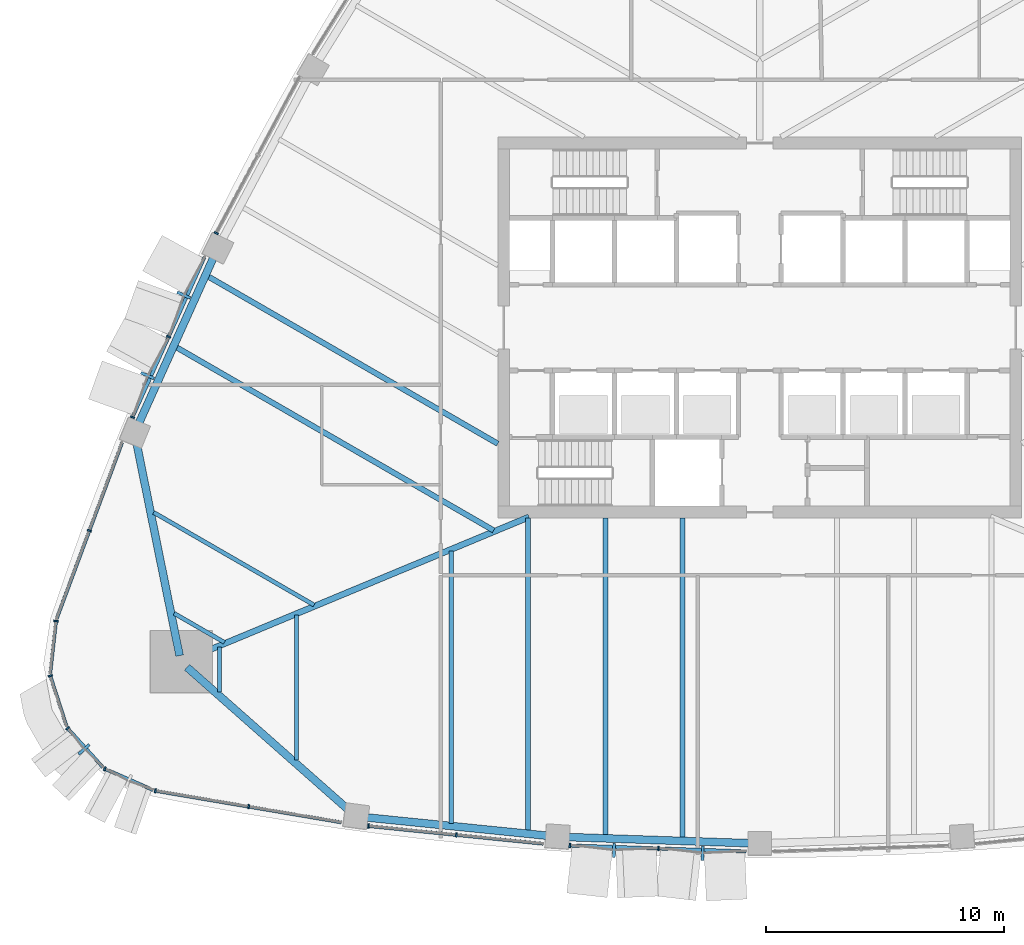
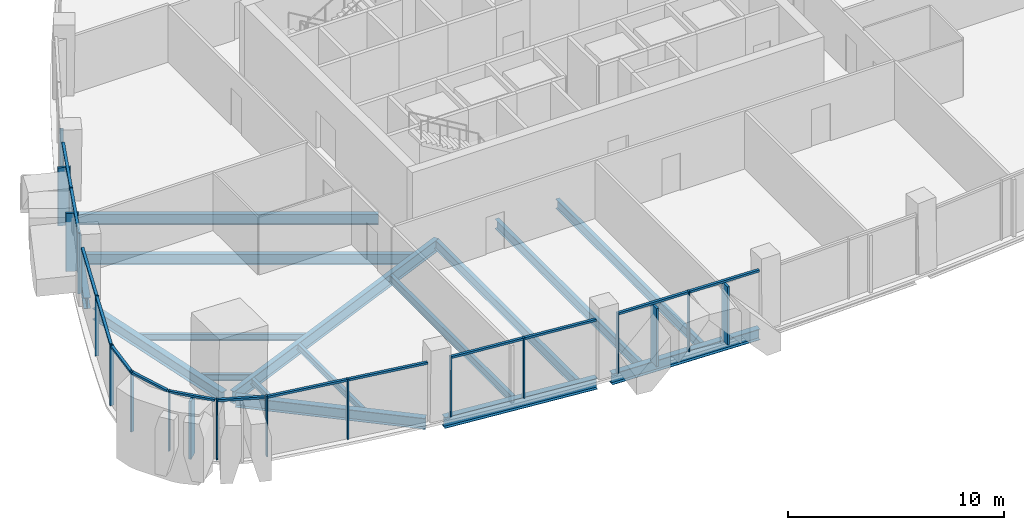
# One storey, part 2 of 17: 33 members, 16 beams, 10 elements without a shape of their own.
"""IFC4 building model written with IfcOpenShell, lengths in metres."""

from ifc_helpers import new_model, si_unit, direction, frame, origin, origin_2d, place, context, subcontext, project, spatial, rectangle, i_section, extrude, material, layer, layer_set, material_profile, profile_set, type_object, element, aggregate, save


model = new_model("IFC4")

# Units and contexts
model_context = context("Model", 3, precision=1e-05, world=origin(), true_north=direction((0.0, 1.0)))
body_context = subcontext(model_context, "Body", "Model", "MODEL_VIEW")
ifc_project = project(units=[si_unit("LENGTHUNIT", "METRE"), si_unit("AREAUNIT", "SQUARE_METRE"), si_unit("VOLUMEUNIT", "CUBIC_METRE"), si_unit("PLANEANGLEUNIT", "RADIAN"), si_unit("MASSUNIT", "GRAM", prefix="KILO")], contexts=[model_context])

# Site, building, storey
site_placement = place(None, origin())
site = spatial("IfcSite", under=ifc_project, at=site_placement, CompositionType="ELEMENT")
building_placement = place(site_placement, origin())
building = spatial("IfcBuilding", under=site, at=building_placement, Name="Sierra Prisma Convention Tower", CompositionType="ELEMENT")
storey_placement = place(building_placement, frame((0.0, 0.0, 153.800048828125)))
storey = spatial("IfcBuildingStorey", under=building, at=storey_placement, Name="L33", CompositionType="ELEMENT", Elevation=153.800048828125)

# Curtain wall, members
ifc_material_1 = material(Name="Aluminium and glass curtain wall", Category="aluminium")
ifc_layer_1 = layer(ifc_material_1, 0.179931640625)
ifc_layer_set_1 = layer_set([ifc_layer_1], Name="CW-2 Faceted crystal curtain wall")
curtain_wall_type_1 = type_object("IfcCurtainWallType", Name="CW-2 Faceted crystal curtain wall", PredefinedType="NOTDEFINED", material=ifc_layer_set_1)
curtain_wall_1_placement = place(storey_placement, origin())
curtain_wall_1 = element("IfcCurtainWall", 1, at=curtain_wall_1_placement, inside=storey, type_object=curtain_wall_type_1, Name="CW-2 S3 L33", PredefinedType="NOTDEFINED")
ifc_material_2 = material(Name="Aluminium 6063-T6 bronze anodised", Category="aluminium")
ifc_material_profile_1 = material_profile(ifc_material_2, rectangle(XDim=0.1201171875, YDim=0.60009765625, at=origin_2d()), Name="ALU RIDGE BLADE 120x600")
ifc_profile_set_1 = profile_set([ifc_material_profile_1], Name="Aluminium 6063-T6 bronze anodised")
member_type_1 = type_object("IfcMemberType", Name="CW hip bronze", PredefinedType="MULLION", material=ifc_profile_set_1)
member_1_placement = place(storey_placement, frame((-6.1201171875, -21.95361328125, 0.0), z_axis=(0.0, 0.0, 1.0), x_axis=(0.999435043349, -0.03360943507, 0.0)))
member_1 = element("IfcMember", 2, at=member_1_placement, type_object=member_type_1, Name="CW-2 ridge S3.1", PredefinedType="MULLION", context=body_context, shape_type="SweptSolid", body=[
    extrude(rectangle(XDim=0.1201171875, YDim=0.60009765625, at=origin_2d()), origin(), (0.0, 0.0, 1.0), 3.280029296875),
])
member_2_placement = place(storey_placement, frame((-2.399658203125, -22.078857421875, 0.0), z_axis=(0.0, 0.0, 1.0), x_axis=(0.999435043349, -0.03360943507, 0.0)))
member_2 = element("IfcMember", 3, at=member_2_placement, type_object=member_type_1, Name="CW-2 ridge S3.2", PredefinedType="MULLION", context=body_context, shape_type="SweptSolid", body=[
    extrude(rectangle(XDim=0.1201171875, YDim=0.60009765625, at=origin_2d()), origin(), (0.0, 0.0, 1.0), 3.280029296875),
])

curtain_wall_2_placement = place(storey_placement, origin())
curtain_wall_2 = element("IfcCurtainWall", 4, at=curtain_wall_2_placement, inside=storey, type_object=curtain_wall_type_1, Name="CW-2 NW5 L33", PredefinedType="NOTDEFINED")
member_3_placement = place(storey_placement, frame((-24.189697265625, 1.3642578125, 0.0), z_axis=(0.0, 0.0, 1.0), x_axis=(-0.410271250738, -0.911963541386, 0.0)))
member_3 = element("IfcMember", 5, at=member_3_placement, type_object=member_type_1, Name="CW-2 ridge NW5.1", PredefinedType="MULLION", context=body_context, shape_type="SweptSolid", body=[
    extrude(rectangle(XDim=0.1201171875, YDim=0.60009765625, at=origin_2d()), origin(), (0.0, 0.0, 1.0), 3.280029296875),
])
member_4_placement = place(storey_placement, frame((-25.71044921875, -2.015869140625, 0.0), z_axis=(0.0, 0.0, 1.0), x_axis=(-0.410271250738, -0.911963541386, 0.0)))
member_4 = element("IfcMember", 6, at=member_4_placement, type_object=member_type_1, Name="CW-2 ridge NW5.2", PredefinedType="MULLION", context=body_context, shape_type="SweptSolid", body=[
    extrude(rectangle(XDim=0.1201171875, YDim=0.60009765625, at=origin_2d()), origin(), (0.0, 0.0, 1.0), 3.280029296875),
])

# Curtain wall, member
curtain_wall_3_placement = place(storey_placement, origin())
curtain_wall_3 = element("IfcCurtainWall", 7, at=curtain_wall_3_placement, inside=storey, type_object=curtain_wall_type_1, Name="CW-2 SW3 L33", PredefinedType="NOTDEFINED")
member_5_placement = place(storey_placement, frame((-28.376953125, -17.7119140625, 0.0), z_axis=(0.0, 0.0, 1.0), x_axis=(0.670568249654, -0.741847843264, 0.0)))
member_5 = element("IfcMember", 8, at=member_5_placement, type_object=member_type_1, Name="CW-2 ridge SW3.1", PredefinedType="MULLION", context=body_context, shape_type="SweptSolid", body=[
    extrude(rectangle(XDim=0.1201171875, YDim=0.60009765625, at=origin_2d()), origin(), (0.0, 0.0, 1.0), 3.280029296875),
])

# Curtain wall, members
ifc_material_3 = material(Name="Aluminium and glass curtain wall", Category="aluminium")
ifc_layer_2 = layer(ifc_material_3, 0.179931640625)
ifc_layer_set_2 = layer_set([ifc_layer_2], Name="CW-1 Plain shaft curtain wall")
curtain_wall_type_2 = type_object("IfcCurtainWallType", Name="CW-1 Plain shaft curtain wall", PredefinedType="NOTDEFINED", material=ifc_layer_set_2)
curtain_wall_4_placement = place(storey_placement, origin())
curtain_wall_4 = element("IfcCurtainWall", 9, at=curtain_wall_4_placement, inside=storey, type_object=curtain_wall_type_2, Name="CW-1 S1 L33", PredefinedType="NOTDEFINED")
ifc_material_4 = material(Name="Aluminium 6063-T6 bronze anodised", Category="aluminium")
ifc_material_profile_2 = material_profile(ifc_material_4, rectangle(XDim=0.179931640625, YDim=0.070068359375, at=origin_2d()), Name="ALU MULLION 70x180")
ifc_profile_set_2 = profile_set([ifc_material_profile_2], Name="Aluminium 6063-T6 bronze anodised")
member_type_2 = type_object("IfcMemberType", Name="CW mullion bronze", PredefinedType="MULLION", material=ifc_profile_set_2)
member_6_placement = place(storey_placement, frame((-25.380126953125, -19.449951171875, 0.0), z_axis=(0.0, 0.0, 1.0), x_axis=(0.16728856107, 0.985907976099, 0.0)))
member_6 = element("IfcMember", 10, at=member_6_placement, type_object=member_type_2, Name="CW-1 mullion S1.1", PredefinedType="MULLION", context=body_context, shape_type="SweptSolid", body=[
    extrude(rectangle(XDim=0.179931640625, YDim=0.070068359375, at=origin_2d()), origin(), (0.0, 0.0, 1.0), 3.39990234375),
])
member_7_placement = place(storey_placement, frame((-21.457275390625, -20.115478515625, 0.0), z_axis=(0.0, 0.0, 1.0), x_axis=(0.16728856107, 0.985907976099, 0.0)))
member_7 = element("IfcMember", 11, at=member_7_placement, type_object=member_type_2, Name="CW-1 mullion S1.2", PredefinedType="MULLION", context=body_context, shape_type="SweptSolid", body=[
    extrude(rectangle(XDim=0.179931640625, YDim=0.070068359375, at=origin_2d()), origin(), (0.0, 0.0, 1.0), 3.39990234375),
])

curtain_wall_5_placement = place(storey_placement, origin())
curtain_wall_5 = element("IfcCurtainWall", 12, at=curtain_wall_5_placement, inside=storey, type_object=curtain_wall_type_2, Name="CW-1 S2 L33", PredefinedType="NOTDEFINED")
member_8_placement = place(storey_placement, frame((-16.430419921875, -20.928955078125, 0.0), z_axis=(0.0, 0.0, 1.0), x_axis=(0.100676445112, 0.994919219535, 0.0)))
member_8 = element("IfcMember", 13, at=member_8_placement, type_object=member_type_2, Name="CW-1 mullion S2.1", PredefinedType="MULLION", context=body_context, shape_type="SweptSolid", body=[
    extrude(rectangle(XDim=0.179931640625, YDim=0.070068359375, at=origin_2d()), origin(), (0.0, 0.0, 1.0), 3.39990234375),
])
member_9_placement = place(storey_placement, frame((-12.74267578125, -21.302001953125, 0.0), z_axis=(0.0, 0.0, 1.0), x_axis=(0.100676445112, 0.994919219535, 0.0)))
member_9 = element("IfcMember", 14, at=member_9_placement, type_object=member_type_2, Name="CW-1 mullion S2.2", PredefinedType="MULLION", context=body_context, shape_type="SweptSolid", body=[
    extrude(rectangle(XDim=0.179931640625, YDim=0.070068359375, at=origin_2d()), origin(), (0.0, 0.0, 1.0), 3.39990234375),
])

# Member
member_10_placement = place(storey_placement, frame((-7.9755859375, -21.74755859375, 0.0), z_axis=(0.0, 0.0, 1.0), x_axis=(0.03360943507, 0.999435043349, 0.0)))
member_10 = element("IfcMember", 15, at=member_10_placement, type_object=member_type_2, Name="CW-1 mullion S3.1", PredefinedType="MULLION", context=body_context, shape_type="SweptSolid", body=[
    extrude(rectangle(XDim=0.179931640625, YDim=0.070068359375, at=origin_2d()), origin(), (0.0, 0.0, 1.0), 3.39990234375),
])

member_11_placement = place(storey_placement, frame((-4.255126953125, -21.87255859375, 0.0), z_axis=(0.0, 0.0, 1.0), x_axis=(0.03360943507, 0.999435043349, 0.0)))
member_11 = element("IfcMember", 16, at=member_11_placement, type_object=member_type_2, Name="CW-1 mullion S3.2", PredefinedType="MULLION", context=body_context, shape_type="SweptSolid", body=[
    extrude(rectangle(XDim=0.179931640625, YDim=0.070068359375, at=origin_2d()), origin(), (0.0, 0.0, 1.0), 3.39990234375),
])

# Curtain wall, member
curtain_wall_6_placement = place(storey_placement, origin())
curtain_wall_6 = element("IfcCurtainWall", 17, at=curtain_wall_6_placement, inside=storey, type_object=curtain_wall_type_2, Name="CW-1 NW4 L33", PredefinedType="NOTDEFINED")
member_12_placement = place(storey_placement, frame((-22.82177734375, 3.966796875, 0.0), z_axis=(0.0, 0.0, 1.0), x_axis=(0.882340854508, -0.470610897097, 0.0)))
member_12 = element("IfcMember", 18, at=member_12_placement, type_object=member_type_2, Name="CW-1 mullion NW4.3", PredefinedType="MULLION", context=body_context, shape_type="SweptSolid", body=[
    extrude(rectangle(XDim=0.179931640625, YDim=0.070068359375, at=origin_2d()), origin(), (0.0, 0.0, 1.0), 3.39990234375),
])
aggregate(curtain_wall_6, [member_12])

# Member
member_13_placement = place(storey_placement, frame((-24.819580078125, -0.384521484375, 0.0), z_axis=(0.0, 0.0, 1.0), x_axis=(0.911963541386, -0.410271250738, 0.0)))
member_13 = element("IfcMember", 19, at=member_13_placement, type_object=member_type_2, Name="CW-1 mullion NW5.2", PredefinedType="MULLION", context=body_context, shape_type="SweptSolid", body=[
    extrude(rectangle(XDim=0.179931640625, YDim=0.070068359375, at=origin_2d()), origin(), (0.0, 0.0, 1.0), 3.39990234375),
])

member_14_placement = place(storey_placement, frame((-26.340087890625, -3.7646484375, 0.0), z_axis=(0.0, 0.0, 1.0), x_axis=(0.911963541386, -0.410271250738, 0.0)))
member_14 = element("IfcMember", 20, at=member_14_placement, type_object=member_type_2, Name="CW-1 mullion NW5.3", PredefinedType="MULLION", context=body_context, shape_type="SweptSolid", body=[
    extrude(rectangle(XDim=0.179931640625, YDim=0.070068359375, at=origin_2d()), origin(), (0.0, 0.0, 1.0), 3.39990234375),
])

# Curtain wall, member
curtain_wall_7_placement = place(storey_placement, origin())
curtain_wall_7 = element("IfcCurtainWall", 21, at=curtain_wall_7_placement, inside=storey, type_object=curtain_wall_type_2, Name="CW-1 NW6 L33", PredefinedType="NOTDEFINED")
member_15_placement = place(storey_placement, frame((-28.149169921875, -8.52490234375, 0.0), z_axis=(0.0, 0.0, 1.0), x_axis=(0.93746563363, -0.3480778444, 0.0)))
member_15 = element("IfcMember", 22, at=member_15_placement, type_object=member_type_2, Name="CW-1 mullion NW6.2", PredefinedType="MULLION", context=body_context, shape_type="SweptSolid", body=[
    extrude(rectangle(XDim=0.179931640625, YDim=0.070068359375, at=origin_2d()), origin(), (0.0, 0.0, 1.0), 3.39990234375),
])

curtain_wall_8_placement = place(storey_placement, origin())
curtain_wall_8 = element("IfcCurtainWall", 23, at=curtain_wall_8_placement, inside=storey, type_object=curtain_wall_type_2, Name="CW-1 SW1 L33", PredefinedType="NOTDEFINED")
member_16_placement = place(storey_placement, frame((-29.550048828125, -12.322509765625, 0.0), z_axis=(0.0, 0.0, 1.0), x_axis=(0.993897947739, -0.110303533395, 0.0)))
member_16 = element("IfcMember", 24, at=member_16_placement, type_object=member_type_2, Name="CW-1 mullion SW1.1", PredefinedType="MULLION", context=body_context, shape_type="SweptSolid", body=[
    extrude(rectangle(XDim=0.179931640625, YDim=0.070068359375, at=origin_2d()), origin(), (0.0, 0.0, 1.0), 3.39990234375),
])

curtain_wall_9_placement = place(storey_placement, origin())
curtain_wall_9 = element("IfcCurtainWall", 25, at=curtain_wall_9_placement, inside=storey, type_object=curtain_wall_type_2, Name="CW-1 SW2 L33", PredefinedType="NOTDEFINED")
member_17_placement = place(storey_placement, frame((-29.791015625, -14.623779296875, 0.0), z_axis=(0.0, 0.0, 1.0), x_axis=(0.951653060804, 0.307174953183, 0.0)))
member_17 = element("IfcMember", 26, at=member_17_placement, type_object=member_type_2, Name="CW-1 mullion SW2.1", PredefinedType="MULLION", context=body_context, shape_type="SweptSolid", body=[
    extrude(rectangle(XDim=0.179931640625, YDim=0.070068359375, at=origin_2d()), origin(), (0.0, 0.0, 1.0), 3.39990234375),
])

# Member
member_18_placement = place(storey_placement, frame((-29.066650390625, -16.8212890625, 0.0), z_axis=(0.0, 0.0, 1.0), x_axis=(0.741847843264, 0.670568249654, 0.0)))
member_18 = element("IfcMember", 27, at=member_18_placement, type_object=member_type_2, Name="CW-1 mullion SW3.1", PredefinedType="MULLION", context=body_context, shape_type="SweptSolid", body=[
    extrude(rectangle(XDim=0.179931640625, YDim=0.070068359375, at=origin_2d()), origin(), (0.0, 0.0, 1.0), 3.39990234375),
])

# Curtain wall, member
curtain_wall_10_placement = place(storey_placement, origin())
curtain_wall_10 = element("IfcCurtainWall", 28, at=curtain_wall_10_placement, inside=storey, type_object=curtain_wall_type_1, Name="CW-2 SW4 L33", PredefinedType="NOTDEFINED")
member_19_placement = place(storey_placement, frame((-27.50439453125, -18.528076171875, 0.0), z_axis=(0.0, 0.0, 1.0), x_axis=(0.401423311823, 0.915892638209, 0.0)))
member_19 = element("IfcMember", 29, at=member_19_placement, type_object=member_type_2, Name="CW-1 mullion SW4.1", PredefinedType="MULLION", context=body_context, shape_type="SweptSolid", body=[
    extrude(rectangle(XDim=0.179931640625, YDim=0.070068359375, at=origin_2d()), origin(), (0.0, 0.0, 1.0), 3.39990234375),
])

# Member
ifc_material_5 = material(Name="Aluminium 6063-T6 bronze anodised", Category="aluminium")
ifc_material_profile_3 = material_profile(ifc_material_5, rectangle(XDim=0.139892578125, YDim=0.1201171875, at=origin_2d()), Name="ALU TRANSOM 120x140")
ifc_profile_set_3 = profile_set([ifc_material_profile_3], Name="Aluminium 6063-T6 bronze anodised")
member_type_3 = type_object("IfcMemberType", Name="CW transom bronze", PredefinedType="USERDEFINED", material=ifc_profile_set_3)
member_20_placement = place(storey_placement, frame((-25.345458984375, -19.455810546875, 3.33984375), z_axis=(0.985910286216, -0.167274945925, 0.0), x_axis=(0.167274945925, 0.985910286216, 0.0)))
member_20 = element("IfcMember", 30, at=member_20_placement, type_object=member_type_3, Name="CW-1 transom S1.1", ObjectType="TRANSOM", PredefinedType="USERDEFINED", context=body_context, shape_type="SweptSolid", body=[
    extrude(rectangle(XDim=0.139892578125, YDim=0.1201171875, at=origin_2d()), origin(), (0.0, 0.0, 1.0), 3.90869140625),
])

member_21_placement = place(storey_placement, frame((-21.4228515625, -20.121337890625, 3.33984375), z_axis=(0.985912033815, -0.167264645332, 0.0), x_axis=(0.167264645332, 0.985912033815, 0.0)))
member_21 = element("IfcMember", 31, at=member_21_placement, type_object=member_type_3, Name="CW-1 transom S1.2", ObjectType="TRANSOM", PredefinedType="USERDEFINED", context=body_context, shape_type="SweptSolid", body=[
    extrude(rectangle(XDim=0.139892578125, YDim=0.1201171875, at=origin_2d()), origin(), (0.0, 0.0, 1.0), 3.908935546875),
])

aggregate(curtain_wall_4, [member_6, member_7, member_20, member_21])

member_22_placement = place(storey_placement, frame((-16.3955078125, -20.932373046875, 3.33984375), z_axis=(0.994916146411, -0.10070681015, 0.0), x_axis=(0.10070681015, 0.994916146411, 0.0)))
member_22 = element("IfcMember", 32, at=member_22_placement, type_object=member_type_3, Name="CW-1 transom S2.1", ObjectType="TRANSOM", PredefinedType="USERDEFINED", context=body_context, shape_type="SweptSolid", body=[
    extrude(rectangle(XDim=0.139892578125, YDim=0.1201171875, at=origin_2d()), origin(), (0.0, 0.0, 1.0), 3.636474609375),
])

member_23_placement = place(storey_placement, frame((-12.707763671875, -21.3056640625, 3.33984375), z_axis=(0.994922871105, -0.100640352506, 0.0), x_axis=(0.100640352506, 0.994922871105, 0.0)))
member_23 = element("IfcMember", 33, at=member_23_placement, type_object=member_type_3, Name="CW-1 transom S2.2", ObjectType="TRANSOM", PredefinedType="USERDEFINED", context=body_context, shape_type="SweptSolid", body=[
    extrude(rectangle(XDim=0.139892578125, YDim=0.1201171875, at=origin_2d()), origin(), (0.0, 0.0, 1.0), 3.636474609375),
])

aggregate(curtain_wall_5, [member_8, member_9, member_22, member_23])

member_24_placement = place(storey_placement, frame((-7.9404296875, -21.748779296875, 3.33984375), z_axis=(0.999436865815, -0.033555197073, 0.0), x_axis=(0.033555197073, 0.999436865815, 0.0)))
member_24 = element("IfcMember", 34, at=member_24_placement, type_object=member_type_3, Name="CW-1 transom S3.1", ObjectType="TRANSOM", PredefinedType="USERDEFINED", context=body_context, shape_type="SweptSolid", body=[
    extrude(rectangle(XDim=0.139892578125, YDim=0.1201171875, at=origin_2d()), origin(), (0.0, 0.0, 1.0), 3.65234375),
])

member_25_placement = place(storey_placement, frame((-4.22021484375, -21.873779296875, 3.33984375), z_axis=(0.999434697476, -0.03361971864, 0.0), x_axis=(0.03361971864, 0.999434697476, 0.0)))
member_25 = element("IfcMember", 35, at=member_25_placement, type_object=member_type_3, Name="CW-1 transom S3.2", ObjectType="TRANSOM", PredefinedType="USERDEFINED", context=body_context, shape_type="SweptSolid", body=[
    extrude(rectangle(XDim=0.139892578125, YDim=0.1201171875, at=origin_2d()), origin(), (0.0, 0.0, 1.0), 3.652587890625),
])

aggregate(curtain_wall_1, [member_10, member_11, member_24, member_1, member_25, member_2])

member_26_placement = place(storey_placement, frame((-23.313232421875, 2.9638671875, 3.33984375), z_axis=(-0.41026418116, -0.911966721793, 0.0), x_axis=(0.911966721793, -0.41026418116, 0.0)))
member_26 = element("IfcMember", 36, at=member_26_placement, type_object=member_type_3, Name="CW-1 transom NW5.1", ObjectType="TRANSOM", PredefinedType="USERDEFINED", context=body_context, shape_type="SweptSolid", body=[
    extrude(rectangle(XDim=0.139892578125, YDim=0.1201171875, at=origin_2d()), origin(), (0.0, 0.0, 1.0), 3.636474609375),
])

member_27_placement = place(storey_placement, frame((-24.833984375, -0.416259765625, 3.33984375), z_axis=(-0.410208343496, -0.911991839287, 0.0), x_axis=(0.911991839287, -0.410208343496, 0.0)))
member_27 = element("IfcMember", 37, at=member_27_placement, type_object=member_type_3, Name="CW-1 transom NW5.2", ObjectType="TRANSOM", PredefinedType="USERDEFINED", context=body_context, shape_type="SweptSolid", body=[
    extrude(rectangle(XDim=0.139892578125, YDim=0.1201171875, at=origin_2d()), origin(), (0.0, 0.0, 1.0), 3.636474609375),
])

aggregate(curtain_wall_2, [member_13, member_14, member_26, member_3, member_27, member_4])

member_28_placement = place(storey_placement, frame((-26.7763671875, -4.82763671875, 3.33984375), z_axis=(-0.348089298111, -0.937461380826, 0.0), x_axis=(0.937461380826, -0.348089298111, 0.0)))
member_28 = element("IfcMember", 38, at=member_28_placement, type_object=member_type_3, Name="CW-1 transom NW6.1", ObjectType="TRANSOM", PredefinedType="USERDEFINED", context=body_context, shape_type="SweptSolid", body=[
    extrude(rectangle(XDim=0.139892578125, YDim=0.1201171875, at=origin_2d()), origin(), (0.0, 0.0, 1.0), 3.90869140625),
])

member_29_placement = place(storey_placement, frame((-28.161376953125, -8.5576171875, 3.33984375), z_axis=(-0.348089298111, -0.937461380826, 0.0), x_axis=(0.937461380826, -0.348089298111, 0.0)))
member_29 = element("IfcMember", 39, at=member_29_placement, type_object=member_type_3, Name="CW-1 transom NW6.2", ObjectType="TRANSOM", PredefinedType="USERDEFINED", context=body_context, shape_type="SweptSolid", body=[
    extrude(rectangle(XDim=0.139892578125, YDim=0.1201171875, at=origin_2d()), origin(), (0.0, 0.0, 1.0), 3.90869140625),
])

aggregate(curtain_wall_7, [member_15, member_28, member_29])

member_30_placement = place(storey_placement, frame((-29.553955078125, -12.357177734375, 3.33984375), z_axis=(-0.110357669507, -0.993891938181, 0.0), x_axis=(0.993891938181, -0.110357669507, 0.0)))
member_30 = element("IfcMember", 40, at=member_30_placement, type_object=member_type_3, Name="CW-1 transom SW1.1", ObjectType="TRANSOM", PredefinedType="USERDEFINED", context=body_context, shape_type="SweptSolid", body=[
    extrude(rectangle(XDim=0.139892578125, YDim=0.1201171875, at=origin_2d()), origin(), (0.0, 0.0, 1.0), 2.1767578125),
])

aggregate(curtain_wall_8, [member_16, member_30])

member_31_placement = place(storey_placement, frame((-29.7802734375, -14.656982421875, 3.33984375), z_axis=(0.307196113718, -0.951646230338, 0.0), x_axis=(0.951646230338, 0.307196113718, 0.0)))
member_31 = element("IfcMember", 41, at=member_31_placement, type_object=member_type_3, Name="CW-1 transom SW2.1", ObjectType="TRANSOM", PredefinedType="USERDEFINED", context=body_context, shape_type="SweptSolid", body=[
    extrude(rectangle(XDim=0.139892578125, YDim=0.1201171875, at=origin_2d()), origin(), (0.0, 0.0, 1.0), 2.1767578125),
])

aggregate(curtain_wall_9, [member_17, member_31])

member_32_placement = place(storey_placement, frame((-29.043212890625, -16.84716796875, 3.33984375), z_axis=(0.670599022569, -0.74182002597, 0.0), x_axis=(0.74182002597, 0.670599022569, 0.0)))
member_32 = element("IfcMember", 42, at=member_32_placement, type_object=member_type_3, Name="CW-1 transom SW3.1", ObjectType="TRANSOM", PredefinedType="USERDEFINED", context=body_context, shape_type="SweptSolid", body=[
    extrude(rectangle(XDim=0.139892578125, YDim=0.1201171875, at=origin_2d()), origin(), (0.0, 0.0, 1.0), 2.1767578125),
])

aggregate(curtain_wall_3, [member_18, member_32, member_5])

member_33_placement = place(storey_placement, frame((-27.472412109375, -18.5419921875, 3.33984375), z_axis=(0.915853335507, -0.40151297344, 0.0), x_axis=(0.40151297344, 0.915853335507, 0.0)))
member_33 = element("IfcMember", 43, at=member_33_placement, type_object=member_type_3, Name="CW-1 transom SW4.1", ObjectType="TRANSOM", PredefinedType="USERDEFINED", context=body_context, shape_type="SweptSolid", body=[
    extrude(rectangle(XDim=0.139892578125, YDim=0.1201171875, at=origin_2d()), origin(), (0.0, 0.0, 1.0), 2.1767578125),
])

aggregate(curtain_wall_10, [member_19, member_33])

# Beams
ifc_material_6 = material(Name="Steel ASTM A992 Gr 50", Category="steel")
ifc_material_profile_4 = material_profile(ifc_material_6, i_section(OverallWidth=0.172119140625, OverallDepth=0.35791015625, WebThickness=0.0078125, FlangeThickness=0.01318359375, at=origin_2d()), Name="W360x57")
ifc_profile_set_4 = profile_set([ifc_material_profile_4], Name="Steel ASTM A992 Gr 50")
beam_type_1 = type_object("IfcBeamType", Name="Floor joist W360x57", PredefinedType="JOIST", material=ifc_profile_set_4)
beam_1_placement = place(storey_placement, frame((-22.68798828125, -15.298828125, -0.3291015625), z_axis=(0.0, 1.0, 0.0), x_axis=(-1.0, 0.0, 0.0)))
element("IfcBeam", 44, at=beam_1_placement, inside=storey, type_object=beam_type_1, Name="Floor joist L33 S01", PredefinedType="JOIST", context=body_context, shape_type="SweptSolid", body=[
    extrude(i_section(OverallWidth=0.172119140625, OverallDepth=0.35791015625, WebThickness=0.0078125, FlangeThickness=0.01318359375, at=origin_2d()), origin(), (0.0, 0.0, 1.0), 1.88330078125),
])
beam_2_placement = place(storey_placement, frame((-19.44677734375, -18.1611328125, -0.3291015625), z_axis=(0.0, 1.0, 0.0), x_axis=(-1.0, 0.0, 0.0)))
element("IfcBeam", 45, at=beam_2_placement, inside=storey, type_object=beam_type_1, Name="Floor joist L33 S02", PredefinedType="JOIST", context=body_context, shape_type="SweptSolid", body=[
    extrude(i_section(OverallWidth=0.172119140625, OverallDepth=0.35791015625, WebThickness=0.0078125, FlangeThickness=0.01318359375, at=origin_2d()), origin(), (0.0, 0.0, 1.0), 6.09375),
])
beam_3_placement = place(storey_placement, frame((-25.451416015625, -7.7607421875, -0.3291015625), z_axis=(0.866014220968, -0.500019368707, 0.0), x_axis=(0.500019368707, 0.866014220968, 0.0)))
element("IfcBeam", 46, at=beam_3_placement, inside=storey, type_object=beam_type_1, Name="Floor joist L33 NW14", PredefinedType="JOIST", context=body_context, shape_type="SweptSolid", body=[
    extrude(i_section(OverallWidth=0.172119140625, OverallDepth=0.35791015625, WebThickness=0.0078125, FlangeThickness=0.01318359375, at=origin_2d()), origin(), (0.0, 0.0, 1.0), 7.781982421875),
])
beam_4_placement = place(storey_placement, frame((-24.593017578125, -11.998779296875, -0.3291015625), z_axis=(0.865980627057, -0.500077547548, 0.0), x_axis=(0.500077547548, 0.865980627057, 0.0)))
element("IfcBeam", 47, at=beam_4_placement, inside=storey, type_object=beam_type_1, Name="Floor joist L33 NW15", PredefinedType="JOIST", context=body_context, shape_type="SweptSolid", body=[
    extrude(i_section(OverallWidth=0.172119140625, OverallDepth=0.35791015625, WebThickness=0.0078125, FlangeThickness=0.01318359375, at=origin_2d()), origin(), (0.0, 0.0, 1.0), 2.43994140625),
])
ifc_material_7 = material(Name="Steel ASTM A992 Gr 50", Category="steel")
ifc_material_profile_5 = material_profile(ifc_material_7, i_section(OverallWidth=0.18994140625, OverallDepth=0.45703125, WebThickness=0.009033203125, FlangeThickness=0.014404296875, at=origin_2d()), Name="W460x74")
ifc_profile_set_5 = profile_set([ifc_material_profile_5], Name="Steel ASTM A992 Gr 50")
beam_type_2 = type_object("IfcBeamType", Name="Floor joist W460x74", PredefinedType="JOIST", material=ifc_profile_set_5)
beam_5_placement = place(storey_placement, frame((-12.964599609375, -20.814697265625, -0.378662109375), z_axis=(0.0, 1.0, 0.0), x_axis=(-1.0, 0.0, 0.0)))
element("IfcBeam", 48, at=beam_5_placement, inside=storey, type_object=beam_type_2, Name="Floor joist L33 S04", PredefinedType="JOIST", context=body_context, shape_type="SweptSolid", body=[
    extrude(i_section(OverallWidth=0.18994140625, OverallDepth=0.45703125, WebThickness=0.009033203125, FlangeThickness=0.014404296875, at=origin_2d()), origin(), (0.0, 0.0, 1.0), 11.443359375),
])
ifc_material_8 = material(Name="Steel ASTM A992 Gr 50", Category="steel")
ifc_material_profile_6 = material_profile(ifc_material_8, i_section(OverallWidth=0.208984375, OverallDepth=0.532958984375, WebThickness=0.01025390625, FlangeThickness=0.015625, at=origin_2d()), Name="W530x92")
ifc_profile_set_6 = profile_set([ifc_material_profile_6], Name="Steel ASTM A992 Gr 50")
beam_type_3 = type_object("IfcBeamType", Name="Floor joist W530x92", PredefinedType="JOIST", material=ifc_profile_set_6)
beam_6_placement = place(storey_placement, frame((-9.723388671875, -21.142578125, -0.41650390625), z_axis=(0.0, 1.0, 0.0), x_axis=(-1.0, 0.0, 0.0)))
element("IfcBeam", 49, at=beam_6_placement, inside=storey, type_object=beam_type_3, Name="Floor joist L33 S05", PredefinedType="JOIST", context=body_context, shape_type="SweptSolid", body=[
    extrude(i_section(OverallWidth=0.208984375, OverallDepth=0.532958984375, WebThickness=0.01025390625, FlangeThickness=0.015625, at=origin_2d()), origin(), (0.0, 0.0, 1.0), 13.142578125),
])
beam_7_placement = place(storey_placement, frame((-6.482177734375, -21.335205078125, -0.41650390625), z_axis=(0.0, 1.0, 0.0), x_axis=(-1.0, 0.0, 0.0)))
element("IfcBeam", 50, at=beam_7_placement, inside=storey, type_object=beam_type_3, Name="Floor joist L33 S06", PredefinedType="JOIST", context=body_context, shape_type="SweptSolid", body=[
    extrude(i_section(OverallWidth=0.208984375, OverallDepth=0.532958984375, WebThickness=0.01025390625, FlangeThickness=0.015625, at=origin_2d()), origin(), (0.0, 0.0, 1.0), 13.335205078125),
])
beam_8_placement = place(storey_placement, frame((-3.2412109375, -21.444091796875, -0.41650390625), z_axis=(0.0, 1.0, 0.0), x_axis=(-1.0, 0.0, 0.0)))
element("IfcBeam", 51, at=beam_8_placement, inside=storey, type_object=beam_type_3, Name="Floor joist L33 S07", PredefinedType="JOIST", context=body_context, shape_type="SweptSolid", body=[
    extrude(i_section(OverallWidth=0.208984375, OverallDepth=0.532958984375, WebThickness=0.01025390625, FlangeThickness=0.015625, at=origin_2d()), origin(), (0.0, 0.0, 1.0), 13.444091796875),
])
ifc_material_9 = material(Name="Steel ASTM A992 Gr 50", Category="steel")
ifc_material_profile_7 = material_profile(ifc_material_9, i_section(OverallWidth=0.22802734375, OverallDepth=0.60302734375, WebThickness=0.010498046875, FlangeThickness=0.014892578125, at=origin_2d()), Name="W610x101")
ifc_profile_set_7 = profile_set([ifc_material_profile_7], Name="Steel ASTM A992 Gr 50")
beam_type_4 = type_object("IfcBeamType", Name="Floor joist W610x101", PredefinedType="JOIST", material=ifc_profile_set_7)
beam_9_placement = place(storey_placement, frame((-23.171875, 2.150634765625, -0.45166015625), z_axis=(0.866028224559, -0.499995114243, 0.0), x_axis=(0.499995114243, 0.866028224559, 0.0)))
element("IfcBeam", 52, at=beam_9_placement, inside=storey, type_object=beam_type_4, Name="Floor joist L33 NW11", PredefinedType="JOIST", context=body_context, shape_type="SweptSolid", body=[
    extrude(i_section(OverallWidth=0.22802734375, OverallDepth=0.60302734375, WebThickness=0.010498046875, FlangeThickness=0.014892578125, at=origin_2d()), origin(), (0.0, 0.0, 1.0), 14.054931640625),
])
beam_10_placement = place(storey_placement, frame((-24.50830078125, -0.8203125, -0.45166015625), z_axis=(0.866031882893, -0.499988777687, 0.0), x_axis=(0.499988777687, 0.866031882893, 0.0)))
element("IfcBeam", 53, at=beam_10_placement, inside=storey, type_object=beam_type_4, Name="Floor joist L33 NW12", PredefinedType="JOIST", context=body_context, shape_type="SweptSolid", body=[
    extrude(i_section(OverallWidth=0.22802734375, OverallDepth=0.60302734375, WebThickness=0.010498046875, FlangeThickness=0.014892578125, at=origin_2d()), origin(), (0.0, 0.0, 1.0), 15.394287109375),
])
ifc_material_10 = material(Name="Steel ASTM A992 Gr 50", Category="steel")
ifc_material_profile_8 = material_profile(ifc_material_10, i_section(OverallWidth=0.25390625, OverallDepth=0.68408203125, WebThickness=0.012451171875, FlangeThickness=0.018798828125, at=origin_2d()), Name="W690x140")
ifc_profile_set_8 = profile_set([ifc_material_profile_8], Name="Steel ASTM A992 Gr 50")
beam_type_5 = type_object("IfcBeamType", Name="Radial girder W690x140", PredefinedType="BEAM", material=ifc_profile_set_8)
beam_11_placement = place(storey_placement, frame((-24.048583984375, -13.92626953125, -0.491943359375), z_axis=(0.923320110719, 0.38403121376, 0.0), x_axis=(-0.38403121376, 0.923320110719, 0.0)))
element("IfcBeam", 54, at=beam_11_placement, inside=storey, type_object=beam_type_5, Name="Radial girder L33 SW", PredefinedType="BEAM", context=body_context, shape_type="SweptSolid", body=[
    extrude(i_section(OverallWidth=0.25390625, OverallDepth=0.68408203125, WebThickness=0.012451171875, FlangeThickness=0.018798828125, at=origin_2d()), origin(), (0.0, 0.0, 1.0), 15.552001953125),
])
ifc_material_11 = material(Name="Steel ASTM A992 Gr 50", Category="steel")
ifc_material_profile_9 = material_profile(ifc_material_11, i_section(OverallWidth=0.324951171875, OverallDepth=0.615966796875, WebThickness=0.013916015625, FlangeThickness=0.021484375, at=origin_2d()), Name="W610x174")
ifc_profile_set_9 = profile_set([ifc_material_profile_9], Name="Steel ASTM A992 Gr 50")
beam_type_6 = type_object("IfcBeamType", Name="Spandrel beam W610x174", PredefinedType="BEAM", material=ifc_profile_set_9)
beam_12_placement = place(storey_placement, frame((-24.048583984375, -14.26416015625, -0.4580078125), z_axis=(0.749569481419, -0.66192566994, 0.0), x_axis=(0.66192566994, 0.749569481419, 0.0)))
element("IfcBeam", 55, at=beam_12_placement, inside=storey, type_object=beam_type_6, Name="Spandrel L33-01", PredefinedType="BEAM", context=body_context, shape_type="SweptSolid", body=[
    extrude(i_section(OverallWidth=0.324951171875, OverallDepth=0.615966796875, WebThickness=0.013916015625, FlangeThickness=0.021484375, at=origin_2d()), origin(), (0.0, 0.0, 1.0), 8.97509765625),
])
for number, where, z_axis, x_axis, name in (
    (56, (-16.581787109375, -20.56201171875, -0.4580078125), (0.994919755433, -0.10067114904, 0.0), (0.10067114904, 0.994919755433, 0.0), "Spandrel L33-02"),
    (57, (-8.119140625, -21.392578125, -0.4580078125), (0.999435030343, -0.033609821835, 0.0), (0.033609821835, 0.999435030343, 0.0), "Spandrel L33-03"),
    (58, (-22.921142578125, 2.982421875, -0.4580078125), (-0.410279463563, -0.911959846582, 0.0), (0.911959846582, -0.410279463563, 0.0), "Spandrel L33-17"),
):
    element("IfcBeam", number, at=place(storey_placement, frame(where, z_axis=z_axis, x_axis=x_axis)), inside=storey, type_object=beam_type_6, Name=name, PredefinedType="BEAM", context=body_context, shape_type="SweptSolid", body=[
        extrude(i_section(OverallWidth=0.324951171875, OverallDepth=0.615966796875, WebThickness=0.013916015625, FlangeThickness=0.021484375, at=origin_2d()), origin(), (0.0, 0.0, 1.0), 7.743408203125),
    ])
beam_13_placement = place(storey_placement, frame((-26.15869140625, -4.897705078125, -0.4580078125), z_axis=(0.198479427713, -0.980105053948, 0.0), x_axis=(0.980105053948, 0.198479427713, 0.0)))
element("IfcBeam", 59, at=beam_13_placement, inside=storey, type_object=beam_type_6, Name="Spandrel L33-18", PredefinedType="BEAM", context=body_context, shape_type="SweptSolid", body=[
    extrude(i_section(OverallWidth=0.324951171875, OverallDepth=0.615966796875, WebThickness=0.013916015625, FlangeThickness=0.021484375, at=origin_2d()), origin(), (0.0, 0.0, 1.0), 9.056884765625),
])

save(model, "model.ifc")
